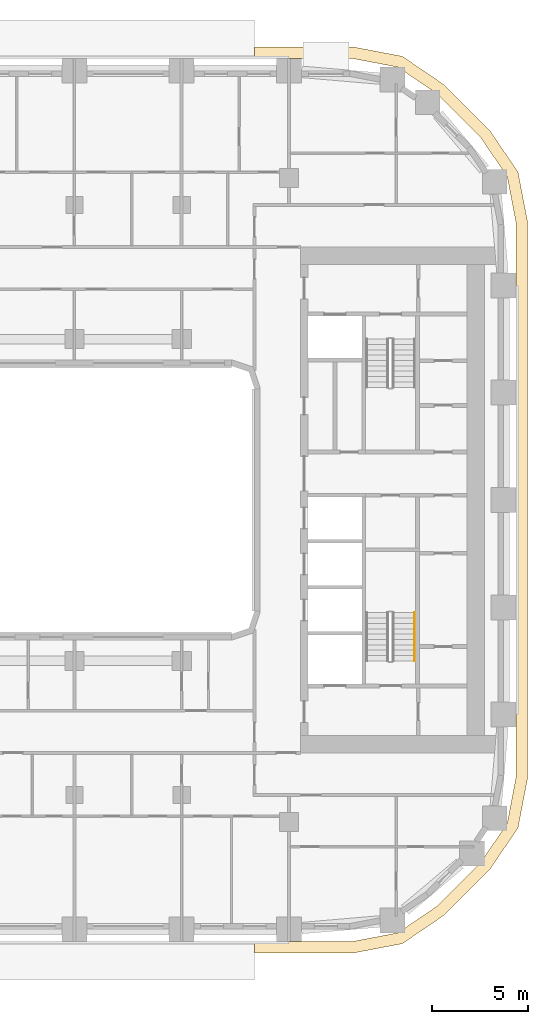
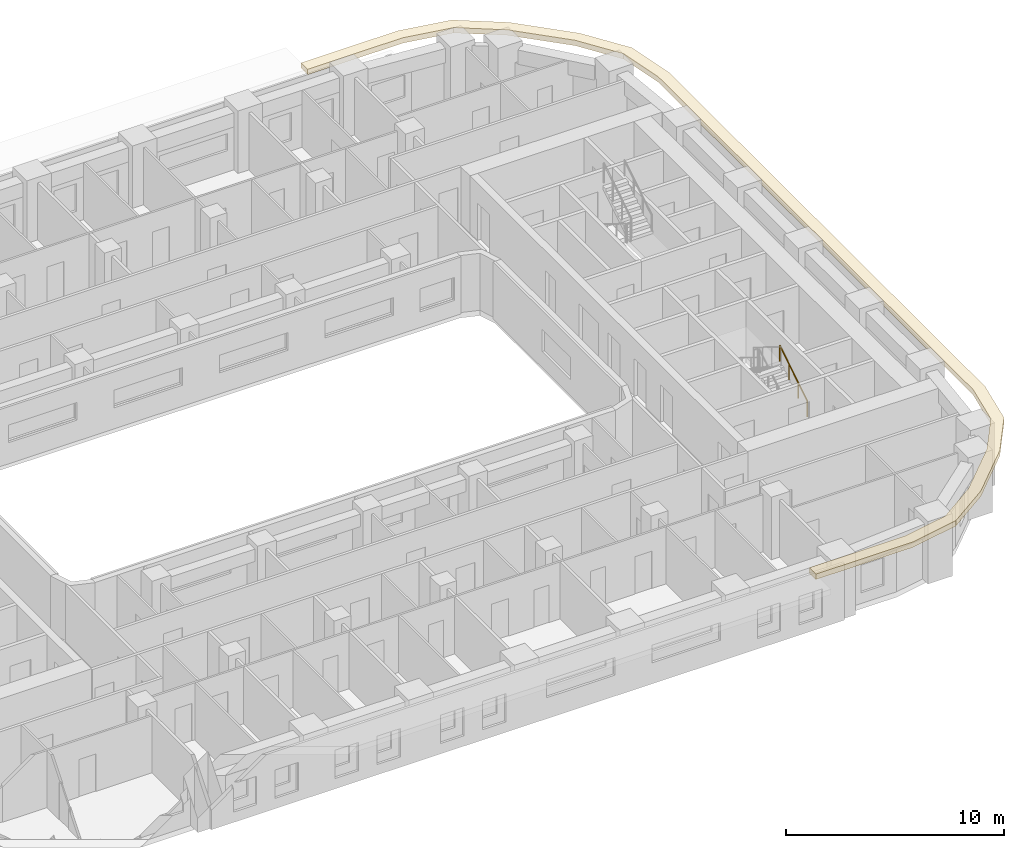
# One storey, part 18 of 22: 1 covering, 1 railing.
"""IFC4 building model written with IfcOpenShell, lengths in metres."""

from ifc_helpers import new_model, si_unit, direction, frame, origin, origin_2d, place, context, subcontext, project, spatial, polyline, circle, outline, extrude, material, layer, layer_set, type_object, element, save


model = new_model("IFC4")

# Units and contexts
model_context = context("Model", 3, precision=1e-05, world=origin(), true_north=direction((0.0, 1.0)))
body_context = subcontext(model_context, "Body", "Model", "MODEL_VIEW")
ifc_project = project(units=[si_unit("LENGTHUNIT", "METRE"), si_unit("AREAUNIT", "SQUARE_METRE"), si_unit("VOLUMEUNIT", "CUBIC_METRE"), si_unit("PLANEANGLEUNIT", "RADIAN"), si_unit("MASSUNIT", "GRAM", prefix="KILO")], contexts=[model_context])

# Site, building, storey
site_placement = place(None, origin())
site = spatial("IfcSite", under=ifc_project, at=site_placement, CompositionType="ELEMENT")
building_placement = place(site_placement, origin())
building = spatial("IfcBuilding", under=site, at=building_placement, Name="Kiln Ring Residences", CompositionType="ELEMENT")
storey_placement = place(building_placement, frame((0.0, 0.0, 90.300048828125)))
storey = spatial("IfcBuildingStorey", under=building, at=storey_placement, Name="L22", CompositionType="ELEMENT", Elevation=90.300048828125)

# Railing
ifc_material_1 = material(Name="Stainless steel", Category="steel")
railing_type = type_object("IfcRailingType", Name="CORE-STAIR-HANDRAIL", PredefinedType="HANDRAIL", material=ifc_material_1)
railing_placement = place(storey_placement, frame((23.35009765625, -8.39990234375, 0.175048828125)))
element("IfcRailing", 1, at=railing_placement, inside=storey, type_object=railing_type, Name="L22 E-STS stair handrail 1", PredefinedType="HANDRAIL", context=body_context, shape_type="SweptSolid", body=[
    extrude(circle(Radius=0.02392578125, at=origin_2d()), frame((0.0, 0.0, 0.8759765625), z_axis=(0.0, 0.848007534815, 0.529984170421), x_axis=(-1.0, 0.0, 0.0)), (0.0, 0.0, 1.0), 2.9716796875),
    extrude(circle(Radius=0.02099609375, at=origin_2d()), origin(), (0.0, 0.0, 1.0), 0.851806640625),
    extrude(circle(Radius=0.02099609375, at=origin_2d()), frame((0.0, 0.840087890625, 0.52490234375)), (0.0, 0.0, 1.0), 0.851806640625),
    extrude(circle(Radius=0.02099609375, at=origin_2d()), frame((0.0, 1.679931640625, 1.050048828125)), (0.0, 0.0, 1.0), 0.851806640625),
    extrude(circle(Radius=0.02099609375, at=origin_2d()), frame((0.0, 2.52001953125, 1.574951171875)), (0.0, 0.0, 1.0), 0.851806640625),
])

# Covering
ifc_material_2 = material(Name="Black powder-coated steel", Category="steel")
ifc_layer = layer(ifc_material_2, 0.300048828125)
ifc_layer_set = layer_set([ifc_layer], Name="SUNSHADE FIN 600")
covering_type = type_object("IfcCoveringType", Name="SUNSHADE FIN 600", PredefinedType="CLADDING", material=ifc_layer_set)
covering_placement = place(storey_placement, frame((0.0, 0.0, 3.199951171875)))
element("IfcCovering", 2, at=covering_placement, inside=storey, type_object=covering_type, Name="SUNSHADE FIN L22", PredefinedType="CLADDING", context=body_context, shape_type="SweptSolid", body=[
    extrude(outline(polyline([(20.1181640625, 23.64990234375), (15.0, 23.64990234375), (15.0, 23.050048828125), (20.061279296875, 23.050048828125), (22.478271484375, 22.589111328125), (24.51318359375, 21.2060546875), (26.805908203125, 18.9130859375), (28.18896484375, 16.87841796875), (28.64990234375, 14.46142578125), (28.64990234375, -14.46142578125), (28.18896484375, -16.87841796875), (26.805908203125, -18.9130859375), (24.51318359375, -21.2060546875), (22.478271484375, -22.589111328125), (20.061279296875, -23.050048828125), (15.0, -23.050048828125), (15.0, -23.64990234375), (20.1181640625, -23.64990234375), (22.712890625, -23.155029296875), (24.8974609375, -21.67041015625), (27.2705078125, -19.29736328125), (28.755126953125, -17.11279296875), (29.25, -14.51806640625), (29.25, 14.51806640625), (28.755126953125, 17.11279296875), (27.2705078125, 19.29736328125), (24.8974609375, 21.67041015625), (22.712890625, 23.155029296875), (20.1181640625, 23.64990234375)])), origin(), (0.0, 0.0, 1.0), 0.300048828125),
])

save(model, "model.ifc")
